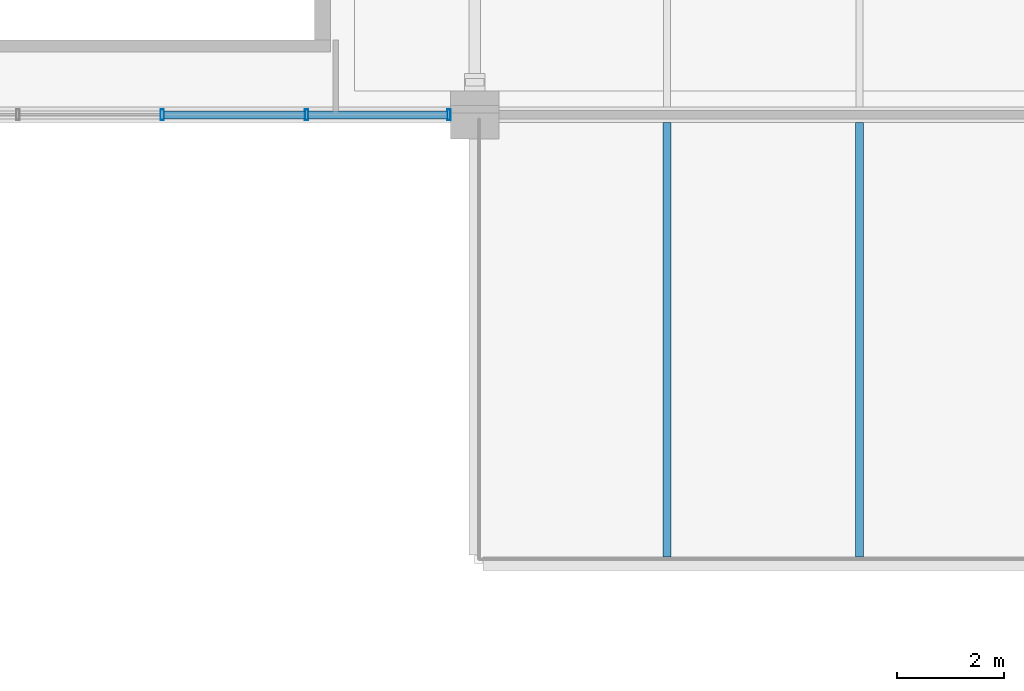
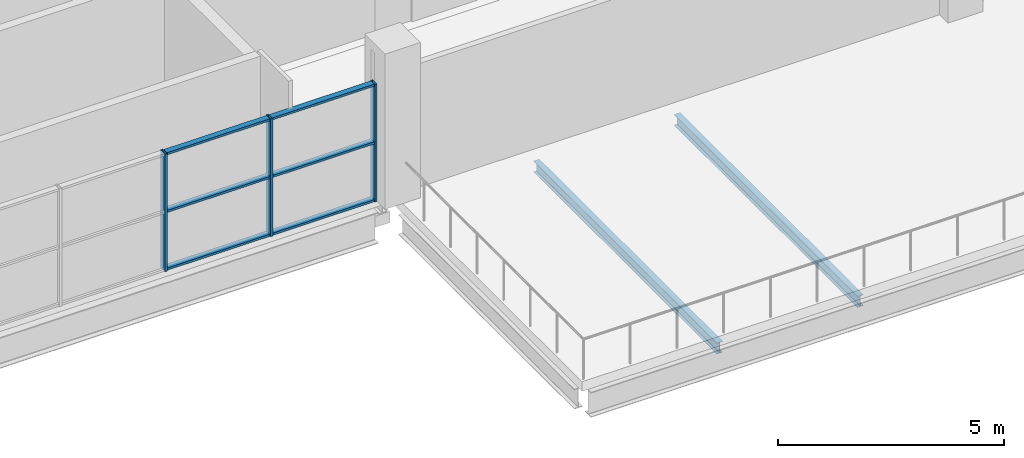
# One storey, part 39 of 93: 9 members, 2 beams, 1 element without a shape of its own.
"""IFC4 building model written with IfcOpenShell, lengths in metres."""

from ifc_helpers import new_model, si_unit, direction, frame, origin, origin_2d, place, context, subcontext, project, spatial, hollow_rectangle, i_section, extrude, material, material_profile, profile_set, type_object, element, aggregate, save


model = new_model("IFC4")

# Units and contexts
model_context = context("Model", 3, precision=1e-05, world=origin(), true_north=direction((0.0, 1.0)))
body_context = subcontext(model_context, "Body", "Model", "MODEL_VIEW")
ifc_project = project(units=[si_unit("LENGTHUNIT", "METRE"), si_unit("AREAUNIT", "SQUARE_METRE"), si_unit("VOLUMEUNIT", "CUBIC_METRE"), si_unit("PLANEANGLEUNIT", "RADIAN"), si_unit("MASSUNIT", "GRAM", prefix="KILO"), si_unit("THERMODYNAMICTEMPERATUREUNIT", "KELVIN")], contexts=[model_context])

# Site, building, storey
site_placement = place(None, origin())
site = spatial("IfcSite", under=ifc_project, at=site_placement, CompositionType="ELEMENT")
building_placement = place(site_placement, origin())
building = spatial("IfcBuilding", under=site, at=building_placement, Name="Nduvali Passage Aquatics Centre", CompositionType="ELEMENT")
storey_placement = place(building_placement, frame((0.0, 0.0, 9.0)))
storey = spatial("IfcBuildingStorey", under=building, at=storey_placement, Name="L02", CompositionType="ELEMENT", Elevation=9.0)

# Curtain wall, members
ifc_material_1 = material(Name="Aluminium EN AW-6063 T6", Category="aluminium")
curtain_wall_type = type_object("IfcCurtainWallType", Name="ENV-CW-CLER", PredefinedType="NOTDEFINED", material=ifc_material_1)
curtain_wall_placement = place(storey_placement, origin())
curtain_wall = element("IfcCurtainWall", 1, at=curtain_wall_placement, inside=storey, type_object=curtain_wall_type, Name="L02 North Pool Hall Pool Overlook CW 059", PredefinedType="NOTDEFINED")
ifc_material_profile_1 = material_profile(ifc_material_1, hollow_rectangle(XDim=0.06005859375, YDim=0.199951171875, WallThickness=0.00390625, at=origin_2d()), Name="ALU MULLION 60x200x4")
ifc_profile_set_1 = profile_set([ifc_material_profile_1], Name="Aluminium EN AW-6063 T6")
member_type_1 = type_object("IfcMemberType", Name="ENV-MEM-MUL80", PredefinedType="MULLION", material=ifc_profile_set_1)
member_1_placement = place(storey_placement, frame((48.14990234375, 92.39990234375, 0.0), z_axis=(0.0, 0.0, 1.0), x_axis=(1.0, 0.0, 0.0)))
member_1 = element("IfcMember", 2, at=member_1_placement, type_object=member_type_1, Name="North Pool Hall Pool Overlook CW Mullion 4", PredefinedType="MULLION", context=body_context, shape_type="SweptSolid", body=[
    extrude(hollow_rectangle(XDim=0.06005859375, YDim=0.199951171875, WallThickness=0.00390625, at=origin_2d()), origin(), (0.0, 0.0, 1.0), 3.183837890625),
])
member_2_placement = place(storey_placement, frame((50.85009765625, 92.39990234375, 0.0), z_axis=(0.0, 0.0, 1.0), x_axis=(1.0, 0.0, 0.0)))
member_2 = element("IfcMember", 3, at=member_2_placement, type_object=member_type_1, Name="North Pool Hall Pool Overlook CW Mullion 5", PredefinedType="MULLION", context=body_context, shape_type="SweptSolid", body=[
    extrude(hollow_rectangle(XDim=0.06005859375, YDim=0.199951171875, WallThickness=0.00390625, at=origin_2d()), origin(), (0.0, 0.0, 1.0), 3.183837890625),
])
member_3_placement = place(storey_placement, frame((53.52001953125, 92.39990234375, 0.0), z_axis=(0.0, 0.0, 1.0), x_axis=(1.0, 0.0, 0.0)))
member_3 = element("IfcMember", 4, at=member_3_placement, type_object=member_type_1, Name="North Pool Hall Pool Overlook CW Mullion 6", PredefinedType="MULLION", context=body_context, shape_type="SweptSolid", body=[
    extrude(hollow_rectangle(XDim=0.06005859375, YDim=0.199951171875, WallThickness=0.00390625, at=origin_2d()), origin(), (0.0, 0.0, 1.0), 3.183837890625),
])
ifc_material_profile_2 = material_profile(ifc_material_1, hollow_rectangle(XDim=0.14990234375, YDim=0.06005859375, WallThickness=0.00390625, at=origin_2d()), Name="ALU TRANSOM 150x60x4")
ifc_profile_set_2 = profile_set([ifc_material_profile_2], Name="Aluminium EN AW-6063 T6")
member_type_2 = type_object("IfcMemberType", Name="ENV-MEM-TRN80", PredefinedType="USERDEFINED", material=ifc_profile_set_2)
member_4_placement = place(storey_placement, frame((48.179931640625, 92.39990234375, 0.030029296875), z_axis=(1.0, 0.0, 0.0), x_axis=(0.0, 1.0, 0.0)))
member_4 = element("IfcMember", 5, at=member_4_placement, type_object=member_type_2, Name="North Pool Hall Pool Overlook CW Transom B4-R0", ObjectType="TRANSOM", PredefinedType="USERDEFINED", context=body_context, shape_type="SweptSolid", body=[
    extrude(hollow_rectangle(XDim=0.14990234375, YDim=0.06005859375, WallThickness=0.00390625, at=origin_2d()), origin(), (0.0, 0.0, 1.0), 2.64013671875),
])
member_5_placement = place(storey_placement, frame((48.179931640625, 92.39990234375, 1.591796875), z_axis=(1.0, 0.0, 0.0), x_axis=(0.0, 1.0, 0.0)))
member_5 = element("IfcMember", 6, at=member_5_placement, type_object=member_type_2, Name="North Pool Hall Pool Overlook CW Transom B4-R1", ObjectType="TRANSOM", PredefinedType="USERDEFINED", context=body_context, shape_type="SweptSolid", body=[
    extrude(hollow_rectangle(XDim=0.14990234375, YDim=0.06005859375, WallThickness=0.00390625, at=origin_2d()), origin(), (0.0, 0.0, 1.0), 2.64013671875),
])
member_6_placement = place(storey_placement, frame((48.179931640625, 92.39990234375, 3.15380859375), z_axis=(1.0, 0.0, 0.0), x_axis=(0.0, 1.0, 0.0)))
member_6 = element("IfcMember", 7, at=member_6_placement, type_object=member_type_2, Name="North Pool Hall Pool Overlook CW Transom B4-R2", ObjectType="TRANSOM", PredefinedType="USERDEFINED", context=body_context, shape_type="SweptSolid", body=[
    extrude(hollow_rectangle(XDim=0.14990234375, YDim=0.06005859375, WallThickness=0.00390625, at=origin_2d()), origin(), (0.0, 0.0, 1.0), 2.64013671875),
])
member_7_placement = place(storey_placement, frame((50.8798828125, 92.39990234375, 0.030029296875), z_axis=(1.0, 0.0, 0.0), x_axis=(0.0, 1.0, 0.0)))
member_7 = element("IfcMember", 8, at=member_7_placement, type_object=member_type_2, Name="North Pool Hall Pool Overlook CW Transom B5-R0", ObjectType="TRANSOM", PredefinedType="USERDEFINED", context=body_context, shape_type="SweptSolid", body=[
    extrude(hollow_rectangle(XDim=0.14990234375, YDim=0.06005859375, WallThickness=0.00390625, at=origin_2d()), origin(), (0.0, 0.0, 1.0), 2.610107421875),
])
member_8_placement = place(storey_placement, frame((50.8798828125, 92.39990234375, 1.591796875), z_axis=(1.0, 0.0, 0.0), x_axis=(0.0, 1.0, 0.0)))
member_8 = element("IfcMember", 9, at=member_8_placement, type_object=member_type_2, Name="North Pool Hall Pool Overlook CW Transom B5-R1", ObjectType="TRANSOM", PredefinedType="USERDEFINED", context=body_context, shape_type="SweptSolid", body=[
    extrude(hollow_rectangle(XDim=0.14990234375, YDim=0.06005859375, WallThickness=0.00390625, at=origin_2d()), origin(), (0.0, 0.0, 1.0), 2.610107421875),
])
member_9_placement = place(storey_placement, frame((50.8798828125, 92.39990234375, 3.15380859375), z_axis=(1.0, 0.0, 0.0), x_axis=(0.0, 1.0, 0.0)))
member_9 = element("IfcMember", 10, at=member_9_placement, type_object=member_type_2, Name="North Pool Hall Pool Overlook CW Transom B5-R2", ObjectType="TRANSOM", PredefinedType="USERDEFINED", context=body_context, shape_type="SweptSolid", body=[
    extrude(hollow_rectangle(XDim=0.14990234375, YDim=0.06005859375, WallThickness=0.00390625, at=origin_2d()), origin(), (0.0, 0.0, 1.0), 2.610107421875),
])
aggregate(curtain_wall, [member_1, member_2, member_3, member_4, member_5, member_6, member_7, member_8, member_9])

# Beams
ifc_material_2 = material(Name="Steel S355", Category="steel")
ifc_material_profile_3 = material_profile(ifc_material_2, i_section(OverallWidth=0.14990234375, OverallDepth=0.300048828125, WebThickness=0.007080078125, FlangeThickness=0.0107421875, FilletRadius=0.014892578125, at=origin_2d()), Name="IPE 300")
ifc_profile_set_3 = profile_set([ifc_material_profile_3], Name="Steel S355")
beam_type = type_object("IfcBeamType", Name="STR-JST-IPE300", PredefinedType="JOIST", material=ifc_profile_set_3)
for number, where, z_axis, x_axis, name in (
    (11, (57.60009765625, 84.126708984375, -0.4140625), (0.0, 1.0, 0.0), (-1.0, 0.0, 0.0), "L02 Secondary Joist J7-1140"),
    (12, (61.199951171875, 84.126708984375, -0.4140625), (0.0, 1.0, 0.0), (-1.0, 0.0, 0.0), "L02 Secondary Joist J7-1141"),
):
    element("IfcBeam", number, at=place(storey_placement, frame(where, z_axis=z_axis, x_axis=x_axis)), inside=storey, type_object=beam_type, Name=name, PredefinedType="JOIST", context=body_context, shape_type="SweptSolid", body=[
        extrude(i_section(OverallWidth=0.14990234375, OverallDepth=0.300048828125, WebThickness=0.007080078125, FlangeThickness=0.0107421875, FilletRadius=0.014892578125, at=origin_2d()), origin(), (0.0, 0.0, 1.0), 8.127197265625),
    ])

save(model, "model.ifc")
